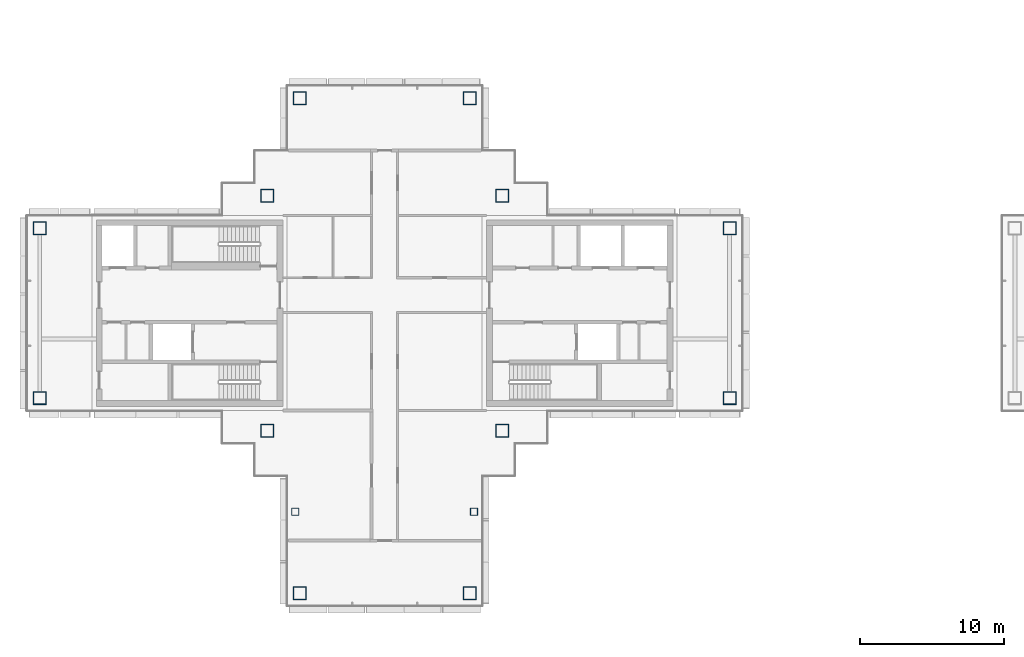
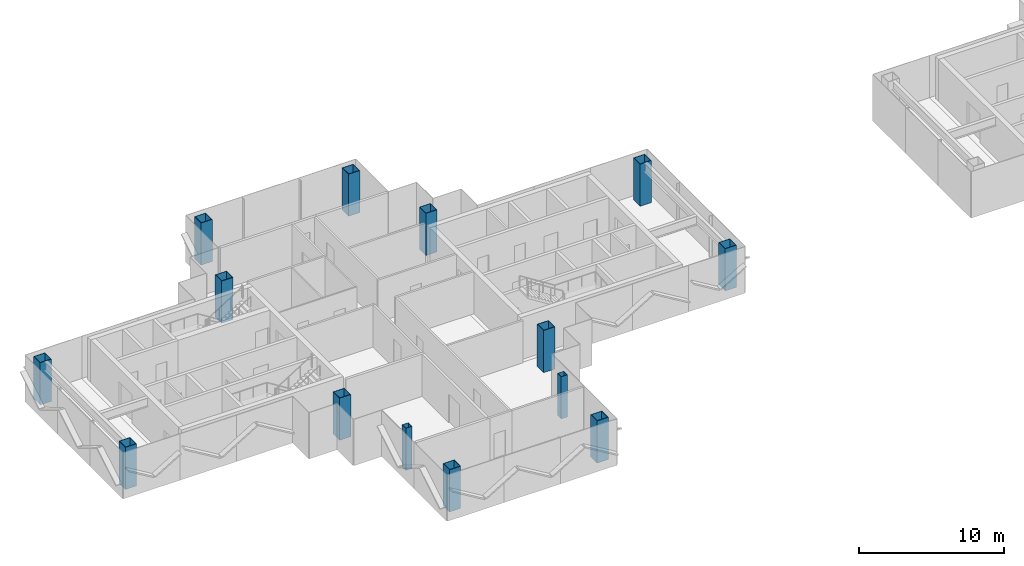
# One storey, part 1 of 17: 14 columns.
"""IFC4 building model written with IfcOpenShell, lengths in metres."""

import ifcopenshell
import ifcopenshell.guid

model = None  # the IFC model being written
_history = None  # IfcOwnerHistory: only IFC2X3 demands one
_inside = {}  # id of a spatial element -> (the spatial element, [elements in it])
_under = {}  # id of a project, library or spatial element -> (it, [spatial elements below it])
_declared = {}  # id of a project -> (the project, [libraries it declares])
_typed = {}  # id of a type object -> (the type object, [elements of that type])
_made_of = {}  # id of a material, layer set ... -> (it, [elements and type objects made of it])


def new_model(schema):
    """Start an empty IFC model of exactly this schema.

    Asked for "IFC4X3", IfcOpenShell would pick the latest addendum, in which some entities
    have other attributes; the version numbers below select the first issue.
    IFC2X3 requires an IfcOwnerHistory on every rooted entity: one is made here for all.
    """
    global model, _history
    if schema == "IFC4X3":
        model = ifcopenshell.file(schema_version=(4, 3, 0, 0))
    else:
        model = ifcopenshell.file(schema=schema)
    _inside.clear()
    _under.clear()
    _declared.clear()
    _typed.clear()
    _made_of.clear()
    _history = None
    if model.schema == "IFC2X3":
        org = make("IfcOrganization", Name="unknown")
        user = make(
            "IfcPersonAndOrganization",
            ThePerson=make("IfcPerson", FamilyName="unknown"),
            TheOrganization=org,
        )
        app = make(
            "IfcApplication",
            ApplicationDeveloper=org,
            Version="unknown",
            ApplicationFullName="unknown",
            ApplicationIdentifier="unknown",
        )
        _history = make(
            "IfcOwnerHistory",
            OwningUser=user,
            OwningApplication=app,
            ChangeAction="ADDED",
            CreationDate=0,
        )
    return model


def make(cls, **values):
    """One entity of the class cls with the attributes given. An attribute that is None is left unset."""
    return model.create_entity(
        cls, **{name: value for name, value in values.items() if value is not None}
    )


def rooted(cls, **values):
    """An entity with a GlobalId (a new one), such as an element, a storey or a relation."""
    return make(cls, GlobalId=ifcopenshell.guid.new(), OwnerHistory=_history, **values)


def si_unit(unit_type, name, prefix=None):
    """IfcSIUnit, for example si_unit("LENGTHUNIT", "METRE", prefix="MILLI")."""
    return make("IfcSIUnit", UnitType=unit_type, Prefix=prefix, Name=name)


def assignment(units):
    """IfcUnitAssignment: the units of a project."""
    return None if units is None else make("IfcUnitAssignment", Units=units)


def point(xyz):
    """IfcCartesianPoint."""
    return None if xyz is None else make("IfcCartesianPoint", Coordinates=xyz)


def direction(xyz):
    """IfcDirection."""
    return None if xyz is None else make("IfcDirection", DirectionRatios=xyz)


def frame(location, z_axis=None, x_axis=None):
    """IfcAxis2Placement3D, a coordinate frame: its origin and axes. An axis left out is left unset."""
    return make(
        "IfcAxis2Placement3D",
        Location=point(location),
        Axis=direction(z_axis),
        RefDirection=direction(x_axis),
    )


def frame_2d(location, x_axis=None):
    """IfcAxis2Placement2D, a coordinate frame in the plane: its origin and x axis."""
    return make(
        "IfcAxis2Placement2D", Location=point(location), RefDirection=direction(x_axis)
    )


def origin():
    """The frame at (0, 0, 0) with its axes left unset."""
    return frame((0.0, 0.0, 0.0))


def origin_2d():
    """The frame at (0, 0) in the plane with its x axis left unset."""
    return frame_2d((0.0, 0.0))


def place(relative_to, where):
    """IfcLocalPlacement: puts the frame where relative to a parent placement (None: the world)."""
    return make(
        "IfcLocalPlacement", PlacementRelTo=relative_to, RelativePlacement=where
    )


def context(
    kind, dimensions, precision=None, world=None, true_north=None, identifier=None
):
    """IfcGeometricRepresentationContext, for example the 3D "Model" context."""
    return make(
        "IfcGeometricRepresentationContext",
        ContextIdentifier=identifier,
        ContextType=kind,
        CoordinateSpaceDimension=dimensions,
        Precision=precision,
        WorldCoordinateSystem=world,
        TrueNorth=true_north,
    )


def subcontext(parent, identifier, kind, view, scale=None):
    """IfcGeometricRepresentationSubContext, for example "Body" below "Model"."""
    return make(
        "IfcGeometricRepresentationSubContext",
        ContextIdentifier=identifier,
        ContextType=kind,
        ParentContext=parent,
        TargetScale=scale,
        TargetView=view,
    )


def project(units=None, contexts=None):
    """IfcProject with its units and contexts."""
    return rooted(
        "IfcProject",
        Name="project",
        RepresentationContexts=contexts,
        UnitsInContext=assignment(units),
    )


def spatial(cls, under=None, at=None, **own):
    """A site, building, storey or space (cls), placed at a placement, below another one or the project."""
    s = rooted(cls, ObjectPlacement=at, **own)
    if under is not None:
        _under.setdefault(under.id(), (under, []))[1].append(s)
    return s


def profile(cls, at=None, kind="AREA", **sizes):
    """A parametric profile (cls). Its sizes go by their IFC names, for example OverallWidth=200.0."""
    return make(cls, ProfileType=kind, Position=at, **sizes)


def hollow_rectangle(**sizes):
    """IfcRectangleHollowProfileDef."""
    return profile("IfcRectangleHollowProfileDef", **sizes)


def extrude(swept, where, along, depth):
    """IfcExtrudedAreaSolid: the profile swept, set in the frame where, extruded along a direction by depth."""
    return make(
        "IfcExtrudedAreaSolid",
        SweptArea=swept,
        Position=where,
        ExtrudedDirection=direction(along),
        Depth=depth,
    )


def shape(context_of_items, identifier, shape_type, items):
    """IfcShapeRepresentation: the items that make up one representation, for example the "Body"."""
    return make(
        "IfcShapeRepresentation",
        ContextOfItems=context_of_items,
        RepresentationIdentifier=identifier,
        RepresentationType=shape_type,
        Items=items,
    )


def material(Name=None, Category=None):
    """IfcMaterial."""
    return make("IfcMaterial", Name=Name, Category=Category)


def material_profile(
    of_material, cross_section, Name=None, Category=None, Priority=None
):
    """IfcMaterialProfile: a cross section and its material."""
    return make(
        "IfcMaterialProfile",
        Name=Name,
        Material=of_material,
        Profile=cross_section,
        Priority=Priority,
        Category=Category,
    )


def profile_set(profiles, Name=None, composite=None):
    """IfcMaterialProfileSet."""
    return make(
        "IfcMaterialProfileSet",
        Name=Name,
        MaterialProfiles=profiles,
        CompositeProfile=composite,
    )


def made_of(thing, what):
    """Note that an element or type object is made of a material, layer set ...; save() writes the relation."""
    if what is not None:
        _made_of.setdefault(what.id(), (what, []))[1].append(thing)
    return thing


def type_object(cls, material=None, **own):
    """A type object (cls), such as IfcWallType, which elements share."""
    return made_of(rooted(cls, **own), material)


def element(
    cls,
    number,
    at=None,
    inside=None,
    cuts=None,
    type_object=None,
    material=None,
    context=None,
    identifier="Body",
    shape_type=None,
    held_by="IfcProductDefinitionShape",
    body=None,
    shapes=None,
    **own,
):
    """One element of the class cls, such as IfcWall. Its Tag is "e" and its number.

    at: its placement. inside: the storey or other place that contains it. cuts: it is an
    opening in that element (IfcRelVoidsElement). A single representation is given by context,
    identifier, shape_type and body (its items); several are given by shapes. held_by: the class
    of the entity that holds the representations. save() writes the other relations.
    """
    e = rooted(cls, Tag="e%d" % number, ObjectPlacement=at, **own)
    if body is not None:
        shapes = [shape(context, identifier, shape_type, body)]
    if shapes is not None:
        e.Representation = make(held_by, Representations=shapes)
    if inside is not None:
        _inside.setdefault(inside.id(), (inside, []))[1].append(e)
    if cuts is not None:
        rooted(
            "IfcRelVoidsElement", RelatingBuildingElement=cuts, RelatedOpeningElement=e
        )
    if type_object is not None:
        _typed.setdefault(type_object.id(), (type_object, []))[1].append(e)
    return made_of(e, material)


def aggregate(whole, parts):
    """IfcRelAggregates: a whole, such as a stair, and the parts it consists of."""
    return rooted("IfcRelAggregates", RelatingObject=whole, RelatedObjects=parts)


def save(model, path):
    """Write the relations noted so far, then the file.

    IfcRelAggregates (storeys below a building ...), IfcRelContainedInSpatialStructure (elements
    in a storey), IfcRelDefinesByType, IfcRelAssociatesMaterial and IfcRelDeclares: one each for
    every whole, place, type object, material and project.
    """
    for whole, parts in _under.values():
        aggregate(whole, parts)
    for where, things in _inside.values():
        rooted(
            "IfcRelContainedInSpatialStructure",
            RelatedElements=things,
            RelatingStructure=where,
        )
    for kind, things in _typed.values():
        rooted("IfcRelDefinesByType", RelatedObjects=things, RelatingType=kind)
    for what, things in _made_of.values():
        rooted("IfcRelAssociatesMaterial", RelatedObjects=things, RelatingMaterial=what)
    for by, libraries in _declared.values():
        rooted("IfcRelDeclares", RelatingContext=by, RelatedDefinitions=libraries)
    model.write(path)


model = new_model("IFC4")

# Units and contexts
model_context = context("Model", 3, precision=1e-05, world=origin(), true_north=direction((0.0, 1.0)))
body_context = subcontext(model_context, "Body", "Model", "MODEL_VIEW")
ifc_project = project(units=[si_unit("LENGTHUNIT", "METRE"), si_unit("AREAUNIT", "SQUARE_METRE"), si_unit("VOLUMEUNIT", "CUBIC_METRE"), si_unit("PLANEANGLEUNIT", "RADIAN"), si_unit("MASSUNIT", "GRAM", prefix="KILO")], contexts=[model_context])

# Site, building, storey
site_placement = place(None, origin())
site = spatial("IfcSite", under=ifc_project, at=site_placement, CompositionType="ELEMENT")
building_placement = place(site_placement, origin())
building = spatial("IfcBuilding", under=site, at=building_placement, Name="Shamsa Quay Exchange Towers", CompositionType="ELEMENT")
storey_placement = place(building_placement, frame((0.0, 0.0, 238.199951171875)))
storey = spatial("IfcBuildingStorey", under=building, at=storey_placement, Name="L57", CompositionType="ELEMENT", Elevation=238.199951171875)

# Columns
ifc_material_1 = material(Name="Concrete-filled steel tube S355 / C60/75", Category="concrete")
ifc_material_profile_1 = material_profile(ifc_material_1, hollow_rectangle(XDim=0.5, YDim=0.5, WallThickness=0.01611328125, at=origin_2d()), Name="CFT 500x500x16")
ifc_profile_set_1 = profile_set([ifc_material_profile_1], Name="Concrete-filled steel tube S355 / C60/75")
column_type_1 = type_object("IfcColumnType", Name="Column CFT 500x500x16", PredefinedType="COLUMN", material=ifc_profile_set_1)
for number, where, name in (
    (1, (-39.9375, -13.75, 0.0), "Perimeter column T1-CP19"),
    (2, (-27.5625, -13.75, 0.0), "Perimeter column T1-CP22"),
):
    element("IfcColumn", number, at=place(storey_placement, frame(where)), inside=storey, type_object=column_type_1, Name=name, PredefinedType="COLUMN", context=body_context, shape_type="SweptSolid", body=[
        extrude(hollow_rectangle(XDim=0.5, YDim=0.5, WallThickness=0.01611328125, at=origin_2d()), origin(), (0.0, 0.0, 1.0), 3.550048828125),
    ])
ifc_material_2 = material(Name="Concrete-filled steel tube S355 / C80/95", Category="concrete")
ifc_material_profile_2 = material_profile(ifc_material_2, hollow_rectangle(XDim=0.89990234375, YDim=0.89990234375, WallThickness=0.035888671875, at=origin_2d()), Name="CFT 900x900x36")
ifc_profile_set_2 = profile_set([ifc_material_profile_2], Name="Concrete-filled steel tube S355 / C80/95")
column_type_2 = type_object("IfcColumnType", Name="Column CFT 900x900x36", PredefinedType="COLUMN", material=ifc_profile_set_2)
for number, where, name in (
    (3, (-25.625, 8.125, 0.0), "Mega column T1-CM01"),
    (4, (-25.625, -8.125, 0.0), "Mega column T1-CM02"),
    (5, (-41.875, 8.125, 0.0), "Mega column T1-CM03"),
    (6, (-41.875, -8.125, 0.0), "Mega column T1-CM04"),
    (7, (-9.875, -5.875, 0.0), "Mega column T1-CM05"),
    (8, (-9.875, 5.875, 0.0), "Mega column T1-CM07"),
    (9, (-57.625, -5.875, 0.0), "Mega column T1-CM09"),
    (10, (-57.625, 5.875, 0.0), "Mega column T1-CM11"),
    (11, (-39.625, 14.875, 0.0), "Mega column T1-CM13"),
    (12, (-27.875, 14.875, 0.0), "Mega column T1-CM16"),
    (13, (-39.625, -19.375, 0.0), "Mega column T1-CM20"),
    (14, (-27.875, -19.375, 0.0), "Mega column T1-CM23"),
):
    element("IfcColumn", number, at=place(storey_placement, frame(where)), inside=storey, type_object=column_type_2, Name=name, PredefinedType="COLUMN", context=body_context, shape_type="SweptSolid", body=[
        extrude(hollow_rectangle(XDim=0.89990234375, YDim=0.89990234375, WallThickness=0.035888671875, at=origin_2d()), origin(), (0.0, 0.0, 1.0), 3.550048828125),
    ])

save(model, "model.ifc")
